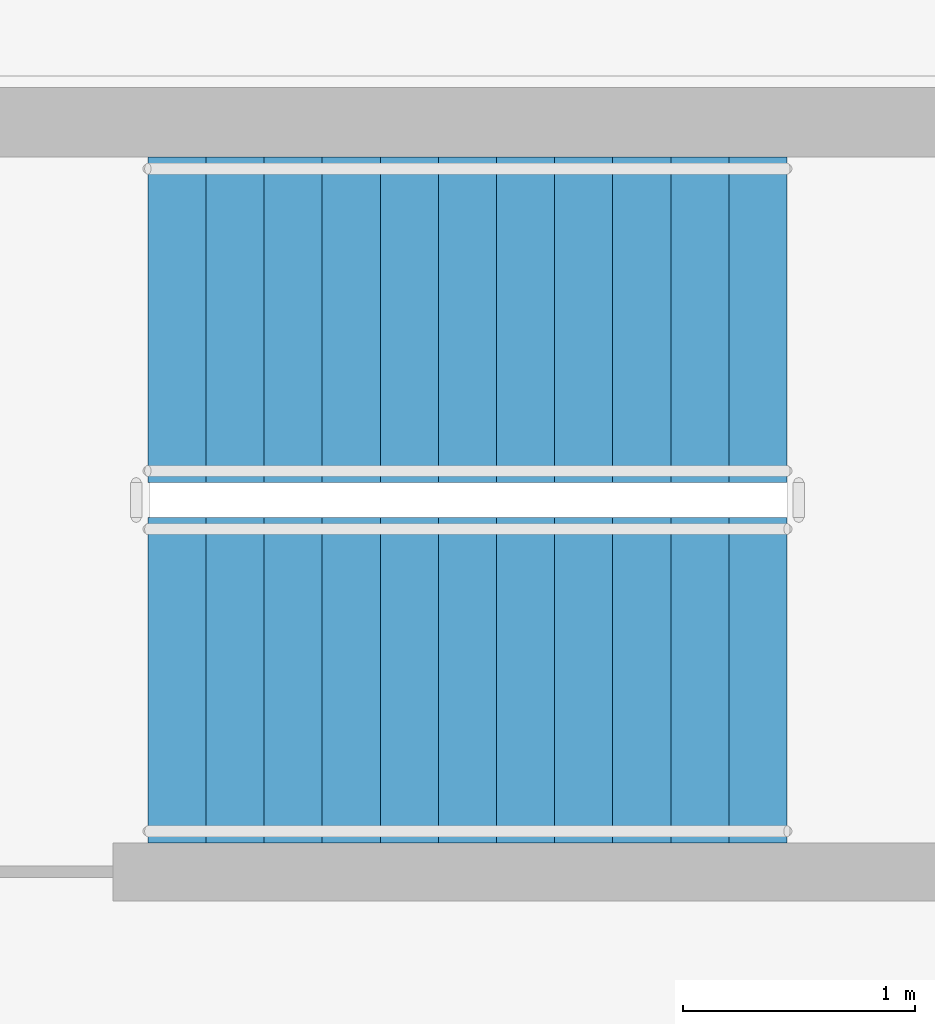
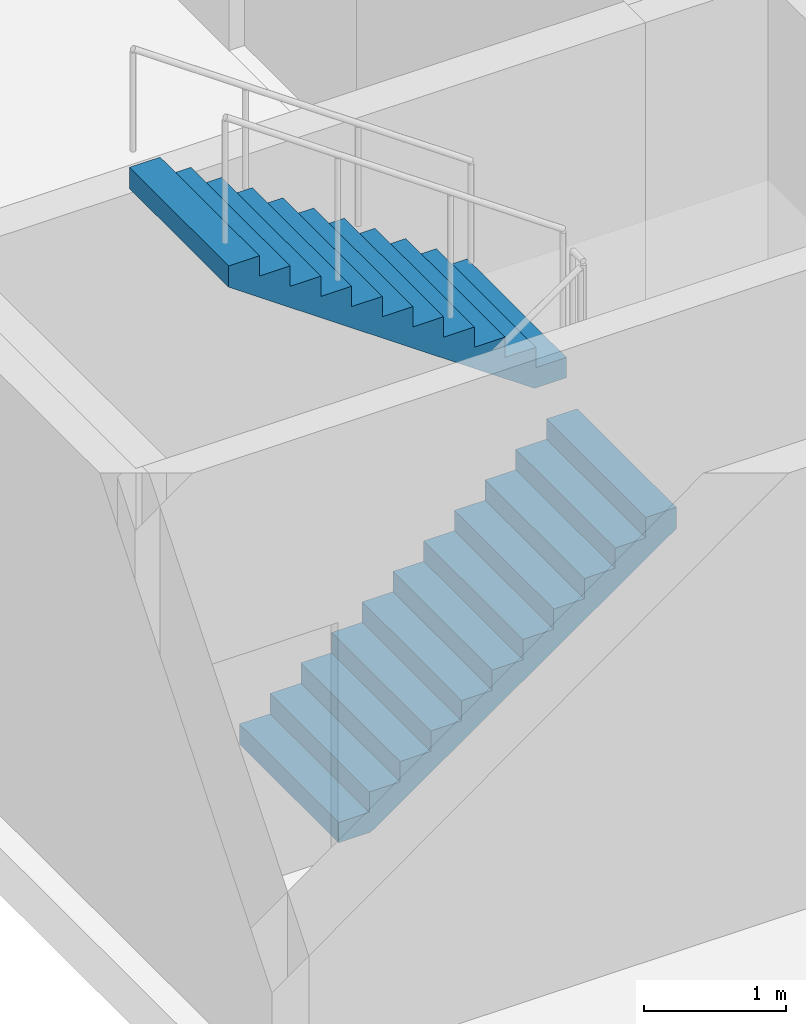
# One storey, part 13 of 18: 2 stair flights, 1 element without a shape of its own.
"""IFC4 building model written with IfcOpenShell, lengths in metres."""

from ifc_helpers import new_model, si_unit, direction, frame, origin, place, context, subcontext, project, spatial, polyline, outline, extrude, source, transform, mapped, material, type_object, element, aggregate, save


model = new_model("IFC4")

# Units and contexts
model_context = context("Model", 3, precision=1e-05, world=origin(), true_north=direction((0.0, 1.0)))
body_context = subcontext(model_context, "Body", "Model", "MODEL_VIEW")
ifc_project = project(units=[si_unit("LENGTHUNIT", "METRE"), si_unit("AREAUNIT", "SQUARE_METRE"), si_unit("VOLUMEUNIT", "CUBIC_METRE"), si_unit("PLANEANGLEUNIT", "RADIAN"), si_unit("MASSUNIT", "GRAM", prefix="KILO")], contexts=[model_context])

# Site, building, storey
site_placement = place(None, origin())
site = spatial("IfcSite", under=ifc_project, at=site_placement, CompositionType="ELEMENT")
building_placement = place(site_placement, origin())
building = spatial("IfcBuilding", under=site, at=building_placement, Name="Aurelian Terraces", CompositionType="ELEMENT")
storey_placement = place(building_placement, frame((0.0, 0.0, 99.3)))
storey = spatial("IfcBuildingStorey", under=building, at=storey_placement, Name="L21", CompositionType="ELEMENT", Elevation=99.3)

# Stair, stair flights
ifc_material = material(Name="Concrete fc' 40 MPa", Category="concrete")
stair_type = type_object("IfcStairType", Name="Stair 1400", PredefinedType="HALF_TURN_STAIR", material=ifc_material)
stair_placement = place(storey_placement, origin())
stair = element("IfcStair", 1, at=stair_placement, inside=storey, type_object=stair_type, Name="L21 S3", PredefinedType="HALF_TURN_STAIR")
stair_flight_type = type_object("IfcStairFlightType", Name="Stair flight 1400", PredefinedType="STRAIGHT", material=ifc_material)
shared_shape = source(origin(), body_context, "Body", "SweptSolid", [
    extrude(outline(polyline([(0.0, 0.0), (0.0, 0.175), (0.25, 0.175), (0.25, 0.35), (0.5, 0.35), (0.5, 0.525), (0.75, 0.525), (0.75, 0.7), (1.0, 0.7), (1.0, 0.875), (1.25, 0.875), (1.25, 1.05), (1.5, 1.05), (1.5, 1.225), (1.75, 1.225), (1.75, 1.4), (2.0, 1.4), (2.0, 1.575), (2.25, 1.575), (2.25, 1.75), (2.5, 1.75), (2.5, 1.925), (2.75, 1.925), (2.75, 2.1), (2.75, 1.7419), (0.2616, 0.0), (0.0, 0.0)])), frame((0.0, 0.7, 0.0), z_axis=(0.0, -1.0, 0.0), x_axis=(1.0, 0.0, 0.0)), (0.0, 0.0, 1.0), 1.4),
])
stair_flight_1_placement = place(storey_placement, frame((2.1, 41.35, 2e-08), z_axis=(0.0, 0.0, 1.0), x_axis=(1.0, 0.0, 0.0)))
stair_flight_1 = element("IfcStairFlight", 2, at=stair_flight_1_placement, type_object=stair_flight_type, Name="S3 flight 1", NumberOfRisers=12, NumberOfTreads=11, PredefinedType="STRAIGHT", RiserHeight=0.175, TreadLength=0.25, context=body_context, shape_type="MappedRepresentation", body=[
    mapped(shared_shape, transform((0.0, 0.0, 0.0), scale=1.0)),
])
stair_flight_2_placement = place(storey_placement, frame((4.85, 42.9, 2.1000000200000084), z_axis=(0.0, 0.0, 1.0), x_axis=(-1.0, 0.0, 0.0)))
stair_flight_2 = element("IfcStairFlight", 3, at=stair_flight_2_placement, type_object=stair_flight_type, Name="S3 flight 2", NumberOfRisers=12, NumberOfTreads=11, PredefinedType="STRAIGHT", RiserHeight=0.175, TreadLength=0.25, context=body_context, shape_type="MappedRepresentation", body=[
    mapped(shared_shape, transform((0.0, 0.0, 0.0), scale=1.0)),
])
aggregate(stair, [stair_flight_1, stair_flight_2])

save(model, "model.ifc")
